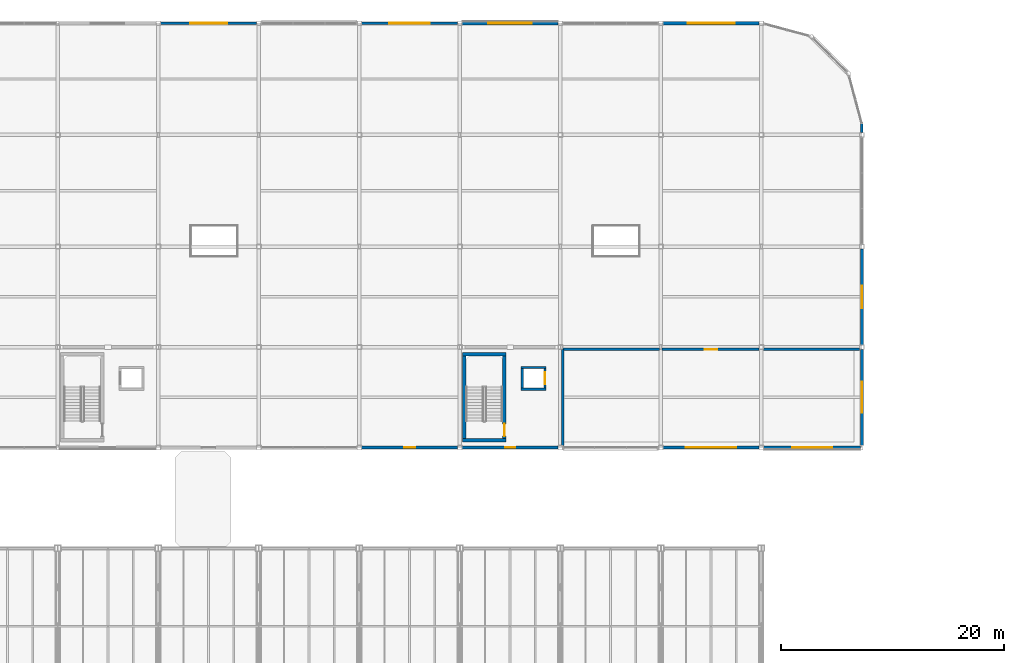
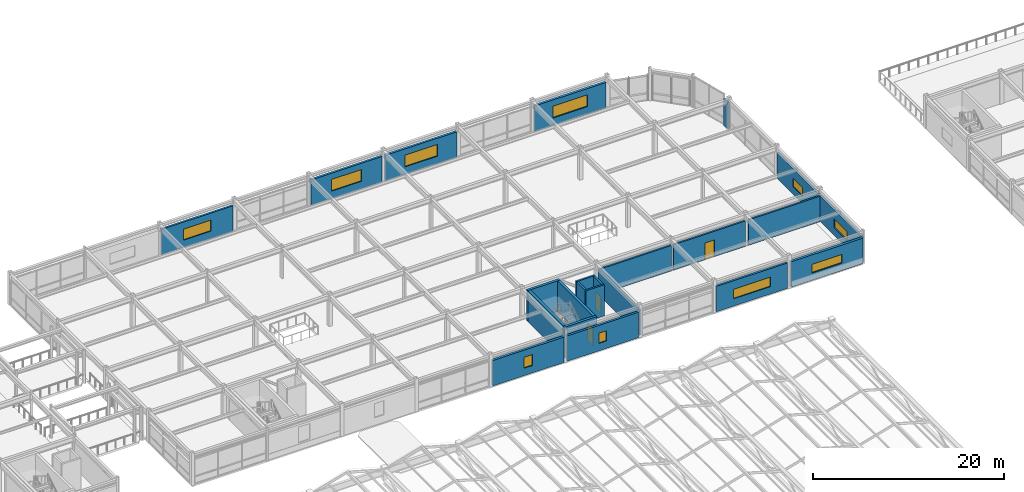
# One storey, part 80 of 108: 23 walls, 10 windows, 3 doors, 13 openings.
"""IFC4 building model written with IfcOpenShell, lengths in metres."""

from ifc_helpers import new_model, si_unit, direction, frame, frame_2d, origin, place, context, subcontext, project, spatial, rectangle, extrude, material, layer, layer_set, type_object, element, fill, save


model = new_model("IFC4")

# Units and contexts
model_context = context("Model", 3, precision=1e-05, world=origin(), true_north=direction((0.0, 1.0)))
body_context = subcontext(model_context, "Body", "Model", "MODEL_VIEW")
ifc_project = project(units=[si_unit("LENGTHUNIT", "METRE"), si_unit("AREAUNIT", "SQUARE_METRE"), si_unit("VOLUMEUNIT", "CUBIC_METRE"), si_unit("PLANEANGLEUNIT", "RADIAN"), si_unit("MASSUNIT", "GRAM", prefix="KILO")], contexts=[model_context])

# Site, building, storey
site_placement = place(None, origin())
site = spatial("IfcSite", under=ifc_project, at=site_placement, CompositionType="ELEMENT")
building_placement = place(site_placement, origin())
building = spatial("IfcBuilding", under=site, at=building_placement, Name="Suzunagisa Mobility Hub", CompositionType="ELEMENT")
storey_placement = place(building_placement, frame((0.0, 0.0, 9.300048828125)))
storey = spatial("IfcBuildingStorey", under=building, at=storey_placement, Name="L02", CompositionType="ELEMENT", Elevation=9.300048828125)

# Wall, opening, window
ifc_material_1 = material(Name="Porcelain-Faced Insulated Concrete C30/37 Wall", Category="concrete")
ifc_layer_1 = layer(ifc_material_1, 0.260009765625)
ifc_layer_set_1 = layer_set([ifc_layer_1], Name="Porcelain-Faced Insulated Concrete C30/37 Wall")
wall_type_1 = type_object("IfcWallType", Name="Exterior Wall EW-03 260mm", PredefinedType="SOLIDWALL", material=ifc_layer_set_1)
wall_1_placement = place(storey_placement, frame((90.199951171875, 80.0, 0.0), z_axis=(0.0, 0.0, 1.0), x_axis=(1.0, 0.0, 0.0)))
wall_1 = element("IfcWall", 1, at=wall_1_placement, inside=storey, type_object=wall_type_1, Name="L02 Exterior Facade Wall EW-198", PredefinedType="SOLIDWALL", context=body_context, shape_type="SweptSolid", body=[
    extrude(rectangle(XDim=8.60009765625, YDim=0.260009765625, at=frame_2d((4.300048828125, 0.0))), origin(), (0.0, 0.0, 1.0), 3.25),
])
opening_1_placement = place(wall_1_placement, frame((3.85009765625, 0.0, 0.949951171875)))
opening_1 = element("IfcOpeningElement", 2, at=opening_1_placement, cuts=wall_1, Name="Opening WN-14", PredefinedType="OPENING", context=body_context, shape_type="SweptSolid", body=[
    extrude(rectangle(XDim=0.89990234375, YDim=1.300048828125, at=frame_2d((0.449951171875, 0.64990234375))), frame((0.0, 0.14111328125, 0.0), z_axis=(0.0, -1.0, 0.0), x_axis=(1.0, 0.0, 0.0)), (0.0, 0.0, 1.0), 0.281982421875),
])
ifc_material_2 = material(Name="Thermally Broken Anodized Aluminum and Low-E Double Glazing", Category="aluminium")
window_type_1 = type_object("IfcWindowType", Name="Aluminum Window WN-14 900x1300", PartitioningType="SINGLE_PANEL", PredefinedType="WINDOW", material=ifc_material_2)
window_1_placement = place(opening_1_placement, origin())
window_1 = element("IfcWindow", 3, at=window_1_placement, inside=storey, type_object=window_type_1, Name="L02 Scheduled Facade Window WN-68", OverallHeight=1.300048828125, OverallWidth=0.89990234375, PartitioningType="SINGLE_PANEL", PredefinedType="WINDOW", context=body_context, shape_type="SweptSolid", body=[
    extrude(rectangle(XDim=0.89990234375, YDim=1.300048828125, at=frame_2d((0.449951171875, 0.64990234375))), frame((0.0, 0.030029296875, 0.0), z_axis=(0.0, -1.0, 0.0), x_axis=(1.0, 0.0, 0.0)), (0.0, 0.0, 1.0), 0.06005859375),
])
fill(opening_1, window_1)

wall_2_placement = place(storey_placement, frame((126.0, 89.199951171875, 0.0), z_axis=(0.0, 0.0, 1.0), x_axis=(0.0, 1.0, 0.0)))
wall_2 = element("IfcWall", 4, at=wall_2_placement, inside=storey, type_object=wall_type_1, Name="L02 Exterior Facade Wall EW-202", PredefinedType="SOLIDWALL", context=body_context, shape_type="SweptSolid", body=[
    extrude(rectangle(XDim=8.60009765625, YDim=0.260009765625, at=frame_2d((4.300048828125, 0.0))), origin(), (0.0, 0.0, 1.0), 3.25),
])
opening_2_placement = place(wall_2_placement, frame((3.300048828125, 0.0, 0.949951171875)))
opening_2 = element("IfcOpeningElement", 5, at=opening_2_placement, cuts=wall_2, Name="Opening WN-26", PredefinedType="OPENING", context=body_context, shape_type="SweptSolid", body=[
    extrude(rectangle(XDim=2.0, YDim=1.10009765625, at=frame_2d((1.0, 0.550048828125))), frame((0.0, 0.14111328125, 0.0), z_axis=(0.0, -1.0, 0.0), x_axis=(1.0, 0.0, 0.0)), (0.0, 0.0, 1.0), 0.281982421875),
])
window_type_2 = type_object("IfcWindowType", Name="Aluminum Window WN-26 2000x1100", PartitioningType="SINGLE_PANEL", PredefinedType="WINDOW", material=ifc_material_2)
window_2_placement = place(opening_2_placement, origin())
window_2 = element("IfcWindow", 6, at=window_2_placement, inside=storey, type_object=window_type_2, Name="L02 Scheduled Facade Window WN-72", OverallHeight=1.10009765625, OverallWidth=2.0, PartitioningType="SINGLE_PANEL", PredefinedType="WINDOW", context=body_context, shape_type="SweptSolid", body=[
    extrude(rectangle(XDim=2.0, YDim=1.10009765625, at=frame_2d((1.0, 0.550048828125))), frame((0.0, 0.030029296875, 0.0), z_axis=(0.0, -1.0, 0.0), x_axis=(1.0, 0.0, 0.0)), (0.0, 0.0, 1.0), 0.06005859375),
])
fill(opening_2, window_2)

wall_3_placement = place(storey_placement, frame((89.800048828125, 118.0, 0.0), z_axis=(0.0, 0.0, 1.0), x_axis=(-1.0, 0.0, 0.0)))
wall_3 = element("IfcWall", 7, at=wall_3_placement, inside=storey, type_object=wall_type_1, Name="L02 Exterior Facade Wall EW-206", PredefinedType="SOLIDWALL", context=body_context, shape_type="SweptSolid", body=[
    extrude(rectangle(XDim=8.60009765625, YDim=0.260009765625, at=frame_2d((4.300048828125, 0.0))), origin(), (0.0, 0.0, 1.0), 3.25),
])
opening_3_placement = place(wall_3_placement, frame((2.5, 0.0, 0.949951171875)))
opening_3 = element("IfcOpeningElement", 8, at=opening_3_placement, cuts=wall_3, Name="Opening WN-27", PredefinedType="OPENING", context=body_context, shape_type="SweptSolid", body=[
    extrude(rectangle(XDim=3.60009765625, YDim=1.5, at=frame_2d((1.800048828125, 0.75))), frame((0.0, 0.14111328125, 0.0), z_axis=(0.0, -1.0, 0.0), x_axis=(1.0, 0.0, 0.0)), (0.0, 0.0, 1.0), 0.281982421875),
])
window_type_3 = type_object("IfcWindowType", Name="Aluminum Window WN-27 3600x1500", PartitioningType="SINGLE_PANEL", PredefinedType="WINDOW", material=ifc_material_2)
window_3_placement = place(opening_3_placement, origin())
window_3 = element("IfcWindow", 9, at=window_3_placement, inside=storey, type_object=window_type_3, Name="L02 Scheduled Facade Window WN-75", OverallHeight=1.5, OverallWidth=3.60009765625, PartitioningType="SINGLE_PANEL", PredefinedType="WINDOW", context=body_context, shape_type="SweptSolid", body=[
    extrude(rectangle(XDim=3.60009765625, YDim=1.5, at=frame_2d((1.800048828125, 0.75))), frame((0.0, 0.030029296875, 0.0), z_axis=(0.0, -1.0, 0.0), x_axis=(1.0, 0.0, 0.0)), (0.0, 0.0, 1.0), 0.06005859375),
])
fill(opening_3, window_3)

ifc_material_3 = material(Name="Lightweight Insulated Autoclaved Concrete C30/37 Wall", Category="concrete")
ifc_layer_2 = layer(ifc_material_3, 0.239990234375)
ifc_layer_set_2 = layer_set([ifc_layer_2], Name="Lightweight Insulated Autoclaved Concrete C30/37 Wall")
wall_type_2 = type_object("IfcWallType", Name="Exterior Wall EW-04 240mm", PredefinedType="SOLIDWALL", material=ifc_layer_set_2)
wall_4_placement = place(storey_placement, frame((108.199951171875, 80.0, 0.0), z_axis=(0.0, 0.0, 1.0), x_axis=(1.0, 0.0, 0.0)))
wall_4 = element("IfcWall", 10, at=wall_4_placement, inside=storey, type_object=wall_type_2, Name="L02 Exterior Facade Wall EW-199", PredefinedType="SOLIDWALL", context=body_context, shape_type="SweptSolid", body=[
    extrude(rectangle(XDim=8.60009765625, YDim=0.239990234375, at=frame_2d((4.300048828125, 0.0))), origin(), (0.0, 0.0, 1.0), 3.25),
])
opening_4_placement = place(wall_4_placement, frame((2.050048828125, 0.0, 0.949951171875)))
opening_4 = element("IfcOpeningElement", 11, at=opening_4_placement, cuts=wall_4, Name="Opening WN-28", PredefinedType="OPENING", context=body_context, shape_type="SweptSolid", body=[
    extrude(rectangle(XDim=4.5, YDim=1.199951171875, at=frame_2d((2.25, 0.60009765625))), frame((0.0, 0.130859375, 0.0), z_axis=(0.0, -1.0, 0.0), x_axis=(1.0, 0.0, 0.0)), (0.0, 0.0, 1.0), 0.261962890625),
])
window_type_4 = type_object("IfcWindowType", Name="Aluminum Window WN-28 4500x1200", PartitioningType="SINGLE_PANEL", PredefinedType="WINDOW", material=ifc_material_2)
window_4_placement = place(opening_4_placement, origin())
window_4 = element("IfcWindow", 12, at=window_4_placement, inside=storey, type_object=window_type_4, Name="L02 Scheduled Facade Window WN-69", OverallHeight=1.199951171875, OverallWidth=4.5, PartitioningType="SINGLE_PANEL", PredefinedType="WINDOW", context=body_context, shape_type="SweptSolid", body=[
    extrude(rectangle(XDim=4.5, YDim=1.199951171875, at=frame_2d((2.25, 0.60009765625))), frame((0.0, 0.030029296875, 0.0), z_axis=(0.0, -1.0, 0.0), x_axis=(1.0, 0.0, 0.0)), (0.0, 0.0, 1.0), 0.06005859375),
])
fill(opening_4, window_4)

# Wall
wall_5_placement = place(storey_placement, frame((126.0, 108.199951171875, 0.0), z_axis=(0.0, 0.0, 1.0), x_axis=(0.0, 1.0, 0.0)))
element("IfcWall", 13, at=wall_5_placement, inside=storey, type_object=wall_type_2, Name="L02 Exterior Facade Wall EW-203", PredefinedType="SOLIDWALL", context=body_context, shape_type="SweptSolid", body=[
    extrude(rectangle(XDim=0.800048828125, YDim=0.239990234375, at=frame_2d((0.39990234375, 0.0))), origin(), (0.0, 0.0, 1.0), 3.362060546875),
])

# Wall, opening, window
wall_6_placement = place(storey_placement, frame((71.800048828125, 118.0, 0.0), z_axis=(0.0, 0.0, 1.0), x_axis=(-1.0, 0.0, 0.0)))
wall_6 = element("IfcWall", 14, at=wall_6_placement, inside=storey, type_object=wall_type_2, Name="L02 Exterior Facade Wall EW-207", PredefinedType="SOLIDWALL", context=body_context, shape_type="SweptSolid", body=[
    extrude(rectangle(XDim=8.60009765625, YDim=0.239990234375, at=frame_2d((4.300048828125, 0.0))), origin(), (0.0, 0.0, 1.0), 3.25),
])
opening_5_placement = place(wall_6_placement, frame((2.64990234375, 0.0, 0.949951171875)))
opening_5 = element("IfcOpeningElement", 15, at=opening_5_placement, cuts=wall_6, Name="Opening WN-19", PredefinedType="OPENING", context=body_context, shape_type="SweptSolid", body=[
    extrude(rectangle(XDim=3.300048828125, YDim=1.39990234375, at=frame_2d((1.64990234375, 0.699951171875))), frame((0.0, 0.130859375, 0.0), z_axis=(0.0, -1.0, 0.0), x_axis=(1.0, 0.0, 0.0)), (0.0, 0.0, 1.0), 0.261962890625),
])
window_type_5 = type_object("IfcWindowType", Name="Aluminum Window WN-19 3300x1400", PartitioningType="SINGLE_PANEL", PredefinedType="WINDOW", material=ifc_material_2)
window_5_placement = place(opening_5_placement, origin())
window_5 = element("IfcWindow", 16, at=window_5_placement, inside=storey, type_object=window_type_5, Name="L02 Scheduled Facade Window WN-76", OverallHeight=1.39990234375, OverallWidth=3.300048828125, PartitioningType="SINGLE_PANEL", PredefinedType="WINDOW", context=body_context, shape_type="SweptSolid", body=[
    extrude(rectangle(XDim=3.300048828125, YDim=1.39990234375, at=frame_2d((1.64990234375, 0.699951171875))), frame((0.0, 0.030029296875, 0.0), z_axis=(0.0, -1.0, 0.0), x_axis=(1.0, 0.0, 0.0)), (0.0, 0.0, 1.0), 0.06005859375),
])
fill(opening_5, window_5)

ifc_layer_3 = layer(ifc_material_1, 0.280029296875)
ifc_layer_set_3 = layer_set([ifc_layer_3], Name="Porcelain-Faced Insulated Concrete C30/37 Wall")
wall_type_3 = type_object("IfcWallType", Name="Exterior Wall EW-08 280mm", PredefinedType="SOLIDWALL", material=ifc_layer_set_3)
wall_7_placement = place(storey_placement, frame((81.199951171875, 80.0, 0.0), z_axis=(0.0, 0.0, 1.0), x_axis=(1.0, 0.0, 0.0)))
wall_7 = element("IfcWall", 17, at=wall_7_placement, inside=storey, type_object=wall_type_3, Name="L02 Exterior Facade Wall EW-197", PredefinedType="SOLIDWALL", context=body_context, shape_type="SweptSolid", body=[
    extrude(rectangle(XDim=8.60009765625, YDim=0.280029296875, at=frame_2d((4.300048828125, 0.0))), origin(), (0.0, 0.0, 1.0), 3.25),
])
opening_6_placement = place(wall_7_placement, frame((3.800048828125, 0.0, 0.949951171875)))
opening_6 = element("IfcOpeningElement", 18, at=opening_6_placement, cuts=wall_7, Name="Opening WN-21", PredefinedType="OPENING", context=body_context, shape_type="SweptSolid", body=[
    extrude(rectangle(XDim=1.0, YDim=1.39990234375, at=frame_2d((0.5, 0.699951171875))), frame((0.0, 0.15087890625, 0.0), z_axis=(0.0, -1.0, 0.0), x_axis=(1.0, 0.0, 0.0)), (0.0, 0.0, 1.0), 0.302001953125),
])
window_type_6 = type_object("IfcWindowType", Name="Aluminum Window WN-21 1000x1400", PartitioningType="SINGLE_PANEL", PredefinedType="WINDOW", material=ifc_material_2)
window_6_placement = place(opening_6_placement, origin())
window_6 = element("IfcWindow", 19, at=window_6_placement, inside=storey, type_object=window_type_6, Name="L02 Scheduled Facade Window WN-67", OverallHeight=1.39990234375, OverallWidth=1.0, PartitioningType="SINGLE_PANEL", PredefinedType="WINDOW", context=body_context, shape_type="SweptSolid", body=[
    extrude(rectangle(XDim=1.0, YDim=1.39990234375, at=frame_2d((0.5, 0.699951171875))), frame((0.0, 0.030029296875, 0.0), z_axis=(0.0, -1.0, 0.0), x_axis=(1.0, 0.0, 0.0)), (0.0, 0.0, 1.0), 0.06005859375),
])
fill(opening_6, window_6)

wall_8_placement = place(storey_placement, frame((126.0, 80.199951171875, 0.0), z_axis=(0.0, 0.0, 1.0), x_axis=(0.0, 1.0, 0.0)))
wall_8 = element("IfcWall", 20, at=wall_8_placement, inside=storey, type_object=wall_type_3, Name="L02 Exterior Facade Wall EW-201", PredefinedType="SOLIDWALL", context=body_context, shape_type="SweptSolid", body=[
    extrude(rectangle(XDim=8.60009765625, YDim=0.280029296875, at=frame_2d((4.300048828125, 0.0))), origin(), (0.0, 0.0, 1.0), 3.25),
])
opening_7_placement = place(wall_8_placement, frame((2.89990234375, 0.0, 0.949951171875)))
opening_7 = element("IfcOpeningElement", 21, at=opening_7_placement, cuts=wall_8, Name="Opening WN-01", PredefinedType="OPENING", context=body_context, shape_type="SweptSolid", body=[
    extrude(rectangle(XDim=2.800048828125, YDim=1.10009765625, at=frame_2d((1.39990234375, 0.550048828125))), frame((0.0, 0.15087890625, 0.0), z_axis=(0.0, -1.0, 0.0), x_axis=(1.0, 0.0, 0.0)), (0.0, 0.0, 1.0), 0.302001953125),
])
window_type_7 = type_object("IfcWindowType", Name="Aluminum Window WN-01 2800x1100", PartitioningType="SINGLE_PANEL", PredefinedType="WINDOW", material=ifc_material_2)
window_7_placement = place(opening_7_placement, origin())
window_7 = element("IfcWindow", 22, at=window_7_placement, inside=storey, type_object=window_type_7, Name="L02 Scheduled Facade Window WN-71", OverallHeight=1.10009765625, OverallWidth=2.800048828125, PartitioningType="SINGLE_PANEL", PredefinedType="WINDOW", context=body_context, shape_type="SweptSolid", body=[
    extrude(rectangle(XDim=2.800048828125, YDim=1.10009765625, at=frame_2d((1.39990234375, 0.550048828125))), frame((0.0, 0.030029296875, 0.0), z_axis=(0.0, -1.0, 0.0), x_axis=(1.0, 0.0, 0.0)), (0.0, 0.0, 1.0), 0.06005859375),
])
fill(opening_7, window_7)

wall_9_placement = place(storey_placement, frame((98.800048828125, 118.0, 0.0), z_axis=(0.0, 0.0, 1.0), x_axis=(-1.0, 0.0, 0.0)))
wall_9 = element("IfcWall", 23, at=wall_9_placement, inside=storey, type_object=wall_type_3, Name="L02 Exterior Facade Wall EW-205", PredefinedType="SOLIDWALL", context=body_context, shape_type="SweptSolid", body=[
    extrude(rectangle(XDim=8.60009765625, YDim=0.280029296875, at=frame_2d((4.300048828125, 0.0))), origin(), (0.0, 0.0, 1.0), 3.25),
])
opening_8_placement = place(wall_9_placement, frame((2.35009765625, 0.0, 0.949951171875)))
opening_8 = element("IfcOpeningElement", 24, at=opening_8_placement, cuts=wall_9, Name="Opening WN-11", PredefinedType="OPENING", context=body_context, shape_type="SweptSolid", body=[
    extrude(rectangle(XDim=3.89990234375, YDim=1.5, at=frame_2d((1.949951171875, 0.75))), frame((0.0, 0.15087890625, 0.0), z_axis=(0.0, -1.0, 0.0), x_axis=(1.0, 0.0, 0.0)), (0.0, 0.0, 1.0), 0.302001953125),
])
window_type_8 = type_object("IfcWindowType", Name="Aluminum Window WN-11 3900x1500", PartitioningType="SINGLE_PANEL", PredefinedType="WINDOW", material=ifc_material_2)
window_8_placement = place(opening_8_placement, origin())
window_8 = element("IfcWindow", 25, at=window_8_placement, inside=storey, type_object=window_type_8, Name="L02 Scheduled Facade Window WN-74", OverallHeight=1.5, OverallWidth=3.89990234375, PartitioningType="SINGLE_PANEL", PredefinedType="WINDOW", context=body_context, shape_type="SweptSolid", body=[
    extrude(rectangle(XDim=3.89990234375, YDim=1.5, at=frame_2d((1.949951171875, 0.75))), frame((0.0, 0.030029296875, 0.0), z_axis=(0.0, -1.0, 0.0), x_axis=(1.0, 0.0, 0.0)), (0.0, 0.0, 1.0), 0.06005859375),
])
fill(opening_8, window_8)

ifc_material_4 = material(Name="Insulated Precast Concrete C35/45 Panel", Category="concrete")
ifc_layer_4 = layer(ifc_material_4, 0.300048828125)
ifc_layer_set_4 = layer_set([ifc_layer_4], Name="Insulated Precast Concrete C35/45 Panel")
wall_type_4 = type_object("IfcWallType", Name="Exterior Wall EW-09 300mm", PredefinedType="SOLIDWALL", material=ifc_layer_set_4)
wall_10_placement = place(storey_placement, frame((117.199951171875, 80.0, 0.0), z_axis=(0.0, 0.0, 1.0), x_axis=(1.0, 0.0, 0.0)))
wall_10 = element("IfcWall", 26, at=wall_10_placement, inside=storey, type_object=wall_type_4, Name="L02 Exterior Facade Wall EW-200", PredefinedType="SOLIDWALL", context=body_context, shape_type="SweptSolid", body=[
    extrude(rectangle(XDim=8.699951171875, YDim=0.300048828125, at=frame_2d((4.35009765625, 0.0))), origin(), (0.0, 0.0, 1.0), 3.25),
])
opening_9_placement = place(wall_10_placement, frame((2.550048828125, 0.0, 0.949951171875)))
opening_9 = element("IfcOpeningElement", 27, at=opening_9_placement, cuts=wall_10, Name="Opening WN-05", PredefinedType="OPENING", context=body_context, shape_type="SweptSolid", body=[
    extrude(rectangle(XDim=3.60009765625, YDim=1.10009765625, at=frame_2d((1.800048828125, 0.550048828125))), frame((0.0, 0.1611328125, 0.0), z_axis=(0.0, -1.0, 0.0), x_axis=(1.0, 0.0, 0.0)), (0.0, 0.0, 1.0), 0.322021484375),
])
window_type_9 = type_object("IfcWindowType", Name="Aluminum Window WN-05 3600x1100", PartitioningType="SINGLE_PANEL", PredefinedType="WINDOW", material=ifc_material_2)
window_9_placement = place(opening_9_placement, origin())
window_9 = element("IfcWindow", 28, at=window_9_placement, inside=storey, type_object=window_type_9, Name="L02 Scheduled Facade Window WN-70", OverallHeight=1.10009765625, OverallWidth=3.60009765625, PartitioningType="SINGLE_PANEL", PredefinedType="WINDOW", context=body_context, shape_type="SweptSolid", body=[
    extrude(rectangle(XDim=3.60009765625, YDim=1.10009765625, at=frame_2d((1.800048828125, 0.550048828125))), frame((0.0, 0.030029296875, 0.0), z_axis=(0.0, -1.0, 0.0), x_axis=(1.0, 0.0, 0.0)), (0.0, 0.0, 1.0), 0.06005859375),
])
fill(opening_9, window_9)

wall_11_placement = place(storey_placement, frame((116.800048828125, 118.0, 0.0), z_axis=(0.0, 0.0, 1.0), x_axis=(-1.0, 0.0, 0.0)))
wall_11 = element("IfcWall", 29, at=wall_11_placement, inside=storey, type_object=wall_type_4, Name="L02 Exterior Facade Wall EW-204", PredefinedType="SOLIDWALL", context=body_context, shape_type="SweptSolid", body=[
    extrude(rectangle(XDim=8.60009765625, YDim=0.300048828125, at=frame_2d((4.300048828125, 0.0))), origin(), (0.0, 0.0, 1.0), 3.25),
])
opening_10_placement = place(wall_11_placement, frame((2.199951171875, 0.0, 0.949951171875)))
opening_10 = element("IfcOpeningElement", 30, at=opening_10_placement, cuts=wall_11, Name="Opening WN-22", PredefinedType="OPENING", context=body_context, shape_type="SweptSolid", body=[
    extrude(rectangle(XDim=4.199951171875, YDim=1.5, at=frame_2d((2.10009765625, 0.75))), frame((0.0, 0.1611328125, 0.0), z_axis=(0.0, -1.0, 0.0), x_axis=(1.0, 0.0, 0.0)), (0.0, 0.0, 1.0), 0.322021484375),
])
window_type_10 = type_object("IfcWindowType", Name="Aluminum Window WN-22 4200x1500", PartitioningType="SINGLE_PANEL", PredefinedType="WINDOW", material=ifc_material_2)
window_10_placement = place(opening_10_placement, origin())
window_10 = element("IfcWindow", 31, at=window_10_placement, inside=storey, type_object=window_type_10, Name="L02 Scheduled Facade Window WN-73", OverallHeight=1.5, OverallWidth=4.199951171875, PartitioningType="SINGLE_PANEL", PredefinedType="WINDOW", context=body_context, shape_type="SweptSolid", body=[
    extrude(rectangle(XDim=4.199951171875, YDim=1.5, at=frame_2d((2.10009765625, 0.75))), frame((0.0, 0.030029296875, 0.0), z_axis=(0.0, -1.0, 0.0), x_axis=(1.0, 0.0, 0.0)), (0.0, 0.0, 1.0), 0.06005859375),
])
fill(opening_10, window_10)

# Walls
ifc_material_5 = material(Name="Concrete C35/45", Category="concrete")
ifc_layer_5 = layer(ifc_material_5, 0.31005859375)
ifc_layer_set_5 = layer_set([ifc_layer_5], Name="Concrete C35/45")
wall_type_5 = type_object("IfcWallType", Name="Interior Wall IW-01 310mm", PredefinedType="SHEAR", material=ifc_layer_set_5)
for number, where, z_axis, x_axis, name in (
    (32, (90.25, 80.64501953125, 0.0), (0.0, 0.0, 1.0), (1.0, 0.0, 0.0), "L02 Core C4 Shear Wall SW-269"),
    (33, (90.25, 88.35498046875, 0.0), (0.0, 0.0, 1.0), (1.0, 0.0, 0.0), "L02 Core C4 Shear Wall SW-270"),
):
    element("IfcWall", number, at=place(storey_placement, frame(where, z_axis=z_axis, x_axis=x_axis)), inside=storey, type_object=wall_type_5, Name=name, PredefinedType="SHEAR", context=body_context, shape_type="SweptSolid", body=[
        extrude(rectangle(XDim=3.89990234375, YDim=0.31005859375, at=frame_2d((1.949951171875, 0.0))), origin(), (0.0, 0.0, 1.0), 3.949951171875),
    ])
wall_12_placement = place(storey_placement, frame((90.405029296875, 80.800048828125, 0.0), z_axis=(0.0, 0.0, 1.0), x_axis=(0.0, 1.0, 0.0)))
element("IfcWall", 34, at=wall_12_placement, inside=storey, type_object=wall_type_5, Name="L02 Core C4 Shear Wall SW-271", PredefinedType="SHEAR", context=body_context, shape_type="SweptSolid", body=[
    extrude(rectangle(XDim=7.39990234375, YDim=0.31005859375, at=frame_2d((3.699951171875, 0.0))), origin(), (0.0, 0.0, 1.0), 3.949951171875),
])

# Wall, opening, door
wall_13_placement = place(storey_placement, frame((93.9951171875, 80.800048828125, 0.0), z_axis=(0.0, 0.0, 1.0), x_axis=(0.0, 1.0, 0.0)))
wall_13 = element("IfcWall", 35, at=wall_13_placement, inside=storey, type_object=wall_type_5, Name="L02 Core C4 Shear Wall SW-272", PredefinedType="SHEAR", context=body_context, shape_type="SweptSolid", body=[
    extrude(rectangle(XDim=7.39990234375, YDim=0.31005859375, at=frame_2d((3.699951171875, 0.0))), origin(), (0.0, 0.0, 1.0), 3.949951171875),
])
opening_11_placement = place(wall_13_placement, frame((0.219970703125, 0.0, 0.0)))
opening_11 = element("IfcOpeningElement", 36, at=opening_11_placement, cuts=wall_13, Name="Opening DR-05", PredefinedType="OPENING", context=body_context, shape_type="SweptSolid", body=[
    extrude(rectangle(XDim=1.10009765625, YDim=2.14990234375, at=frame_2d((0.550048828125, 1.074951171875))), frame((0.0, 0.166015625, 0.0), z_axis=(0.0, -1.0, 0.0), x_axis=(1.0, 0.0, 0.0)), (0.0, 0.0, 1.0), 0.33203125),
])
ifc_material_6 = material(Name="Fire-Rated Hollow Steel Stair Door", Category="steel")
door_type_1 = type_object("IfcDoorType", Name="Interior Door DR-05 1100x2150", OperationType="SINGLE_SWING_LEFT", PredefinedType="DOOR", material=ifc_material_6)
door_1_placement = place(opening_11_placement, origin())
door_1 = element("IfcDoor", 37, at=door_1_placement, inside=storey, type_object=door_type_1, Name="L02 Core C4 Escape Stair Fire Door SD-66", OperationType="SINGLE_SWING_RIGHT", OverallHeight=2.14990234375, OverallWidth=1.10009765625, PredefinedType="DOOR", context=body_context, shape_type="SweptSolid", body=[
    extrude(rectangle(XDim=1.10009765625, YDim=2.14990234375, at=frame_2d((0.550048828125, 1.074951171875))), frame((0.0, 0.02490234375, 0.0), z_axis=(0.0, -1.0, 0.0), x_axis=(1.0, 0.0, 0.0)), (0.0, 0.0, 1.0), 0.050048828125),
])
fill(opening_11, door_1)

ifc_material_7 = material(Name="Fire-Rated Gypsum Stud Partition", Category="gypsum")
ifc_layer_6 = layer(ifc_material_7, 0.2099609375)
ifc_layer_set_6 = layer_set([ifc_layer_6], Name="Fire-Rated Gypsum Stud Partition")
wall_type_6 = type_object("IfcWallType", Name="Interior Wall IW-03 210mm", PredefinedType="PARTITIONING", material=ifc_layer_set_6)
wall_14_placement = place(storey_placement, frame((97.625, 85.330078125, 0.0), z_axis=(0.0, 0.0, 1.0), x_axis=(0.0, 1.0, 0.0)))
wall_14 = element("IfcWall", 38, at=wall_14_placement, inside=storey, type_object=wall_type_6, Name="L02 Lift LF-07 Shaft Front Wall", PredefinedType="PARTITIONING", context=body_context, shape_type="SweptSolid", body=[
    extrude(rectangle(XDim=1.739990234375, YDim=0.2099609375, at=frame_2d((0.8701171875, 0.0))), origin(), (0.0, 0.0, 1.0), 3.949951171875),
])
opening_12_placement = place(wall_14_placement, frame((0.320068359375, 0.0, 0.0)))
opening_12 = element("IfcOpeningElement", 39, at=opening_12_placement, cuts=wall_14, Name="Opening LD-01", PredefinedType="OPENING", context=body_context, shape_type="SweptSolid", body=[
    extrude(rectangle(XDim=1.10009765625, YDim=2.14990234375, at=frame_2d((0.550048828125, 1.074951171875))), frame((0.0, 0.115966796875, 0.0), z_axis=(0.0, -1.0, 0.0), x_axis=(1.0, 0.0, 0.0)), (0.0, 0.0, 1.0), 0.23193359375),
])
ifc_material_8 = material(Name="Brushed Stainless Steel SUS304", Category="metal")
door_type_2 = type_object("IfcDoorType", Name="Lift Landing Sliding Door LD-01 1100x2150", OperationType="SLIDING_TO_LEFT", PredefinedType="DOOR", material=ifc_material_8)
door_2_placement = place(opening_12_placement, origin())
door_2 = element("IfcDoor", 40, at=door_2_placement, inside=storey, type_object=door_type_2, Name="L02 Lift LF-07 Sliding Landing Door", OperationType="SLIDING_TO_LEFT", OverallHeight=2.14990234375, OverallWidth=1.10009765625, PredefinedType="DOOR", context=body_context, shape_type="SweptSolid", body=[
    extrude(rectangle(XDim=1.10009765625, YDim=2.14990234375, at=frame_2d((0.550048828125, 1.074951171875))), frame((0.0, 0.02490234375, 0.0), z_axis=(0.0, -1.0, 0.0), x_axis=(1.0, 0.0, 0.0)), (0.0, 0.0, 1.0), 0.050048828125),
])
fill(opening_12, door_2)

# Walls
wall_15_placement = place(storey_placement, frame((95.574951171875, 85.330078125, 0.0), z_axis=(0.0, 0.0, 1.0), x_axis=(0.0, 1.0, 0.0)))
element("IfcWall", 41, at=wall_15_placement, inside=storey, type_object=wall_type_6, Name="L02 Lift LF-07 Shaft Back Wall", PredefinedType="PARTITIONING", context=body_context, shape_type="SweptSolid", body=[
    extrude(rectangle(XDim=1.739990234375, YDim=0.2099609375, at=frame_2d((0.8701171875, 0.0))), origin(), (0.0, 0.0, 1.0), 3.949951171875),
])
for number, where, z_axis, x_axis, name in (
    (42, (95.469970703125, 85.22509765625, 0.0), (0.0, 0.0, 1.0), (1.0, 0.0, 0.0), "L02 Lift LF-07 Shaft South Wall"),
    (43, (95.469970703125, 87.175048828125, 0.0), (0.0, 0.0, 1.0), (1.0, 0.0, 0.0), "L02 Lift LF-07 Shaft North Wall"),
):
    element("IfcWall", number, at=place(storey_placement, frame(where, z_axis=z_axis, x_axis=x_axis)), inside=storey, type_object=wall_type_6, Name=name, PredefinedType="PARTITIONING", context=body_context, shape_type="SweptSolid", body=[
        extrude(rectangle(XDim=2.260009765625, YDim=0.2099609375, at=frame_2d((1.1298828125, 0.0))), origin(), (0.0, 0.0, 1.0), 3.949951171875),
    ])
wall_16_placement = place(storey_placement, frame((99.199951171875, 88.800048828125, 0.0), z_axis=(0.0, 0.0, 1.0), x_axis=(1.0, 0.0, 0.0)))
element("IfcWall", 44, at=wall_16_placement, inside=storey, type_object=wall_type_6, Name="L02 Deck Smoke Exhaust and Charger Switchgear Room L02 Partition PW-815", PredefinedType="PARTITIONING", context=body_context, shape_type="SweptSolid", body=[
    extrude(rectangle(XDim=8.699951171875, YDim=0.2099609375, at=frame_2d((4.35009765625, 0.0))), origin(), (0.0, 0.0, 1.0), 3.25),
])

# Wall, opening, door
wall_17_placement = place(storey_placement, frame((108.10009765625, 88.800048828125, 0.0), z_axis=(0.0, 0.0, 1.0), x_axis=(1.0, 0.0, 0.0)))
wall_17 = element("IfcWall", 45, at=wall_17_placement, inside=storey, type_object=wall_type_6, Name="L02 Deck Smoke Exhaust and Charger Switchgear Room L02 Partition PW-816", PredefinedType="PARTITIONING", context=body_context, shape_type="SweptSolid", body=[
    extrude(rectangle(XDim=8.699951171875, YDim=0.2099609375, at=frame_2d((4.35009765625, 0.0))), origin(), (0.0, 0.0, 1.0), 3.25),
])
opening_13_placement = place(wall_17_placement, frame((3.85009765625, 0.0, 0.0)))
opening_13 = element("IfcOpeningElement", 46, at=opening_13_placement, cuts=wall_17, Name="Opening DR-11", PredefinedType="OPENING", context=body_context, shape_type="SweptSolid", body=[
    extrude(rectangle(XDim=1.10009765625, YDim=2.14990234375, at=frame_2d((0.550048828125, 1.074951171875))), frame((0.0, 0.115966796875, 0.0), z_axis=(0.0, -1.0, 0.0), x_axis=(1.0, 0.0, 0.0)), (0.0, 0.0, 1.0), 0.23193359375),
])
ifc_material_9 = material(Name="Riser and Switchroom Fire Door")
door_type_3 = type_object("IfcDoorType", Name="Interior Door DR-11 1100x2150", OperationType="SINGLE_SWING_LEFT", PredefinedType="DOOR", material=ifc_material_9)
door_3_placement = place(opening_13_placement, origin())
door_3 = element("IfcDoor", 47, at=door_3_placement, inside=storey, type_object=door_type_3, Name="L02 Deck Smoke Exhaust and Charger Switchgear Room L02 Door DR-204", OperationType="SINGLE_SWING_LEFT", OverallHeight=2.14990234375, OverallWidth=1.10009765625, PredefinedType="DOOR", context=body_context, shape_type="SweptSolid", body=[
    extrude(rectangle(XDim=1.10009765625, YDim=2.14990234375, at=frame_2d((0.550048828125, 1.074951171875))), frame((0.0, 0.02490234375, 0.0), z_axis=(0.0, -1.0, 0.0), x_axis=(1.0, 0.0, 0.0)), (0.0, 0.0, 1.0), 0.050048828125),
])
fill(opening_13, door_3)

# Walls
for number, where, z_axis, x_axis, name in (
    (48, (117.199951171875, 88.800048828125, 0.0), (0.0, 0.0, 1.0), (1.0, 0.0, 0.0), "L02 Deck Smoke Exhaust and Charger Switchgear Room L02 Partition PW-817"),
    (49, (99.199951171875, 80.199951171875, 0.0), (0.0, 0.0, 1.0), (0.0, 1.0, 0.0), "L02 Deck Smoke Exhaust and Charger Switchgear Room L02 Partition PW-818"),
):
    element("IfcWall", number, at=place(storey_placement, frame(where, z_axis=z_axis, x_axis=x_axis)), inside=storey, type_object=wall_type_6, Name=name, PredefinedType="PARTITIONING", context=body_context, shape_type="SweptSolid", body=[
        extrude(rectangle(XDim=8.60009765625, YDim=0.2099609375, at=frame_2d((4.300048828125, 0.0))), origin(), (0.0, 0.0, 1.0), 3.25),
    ])

save(model, "model.ifc")
